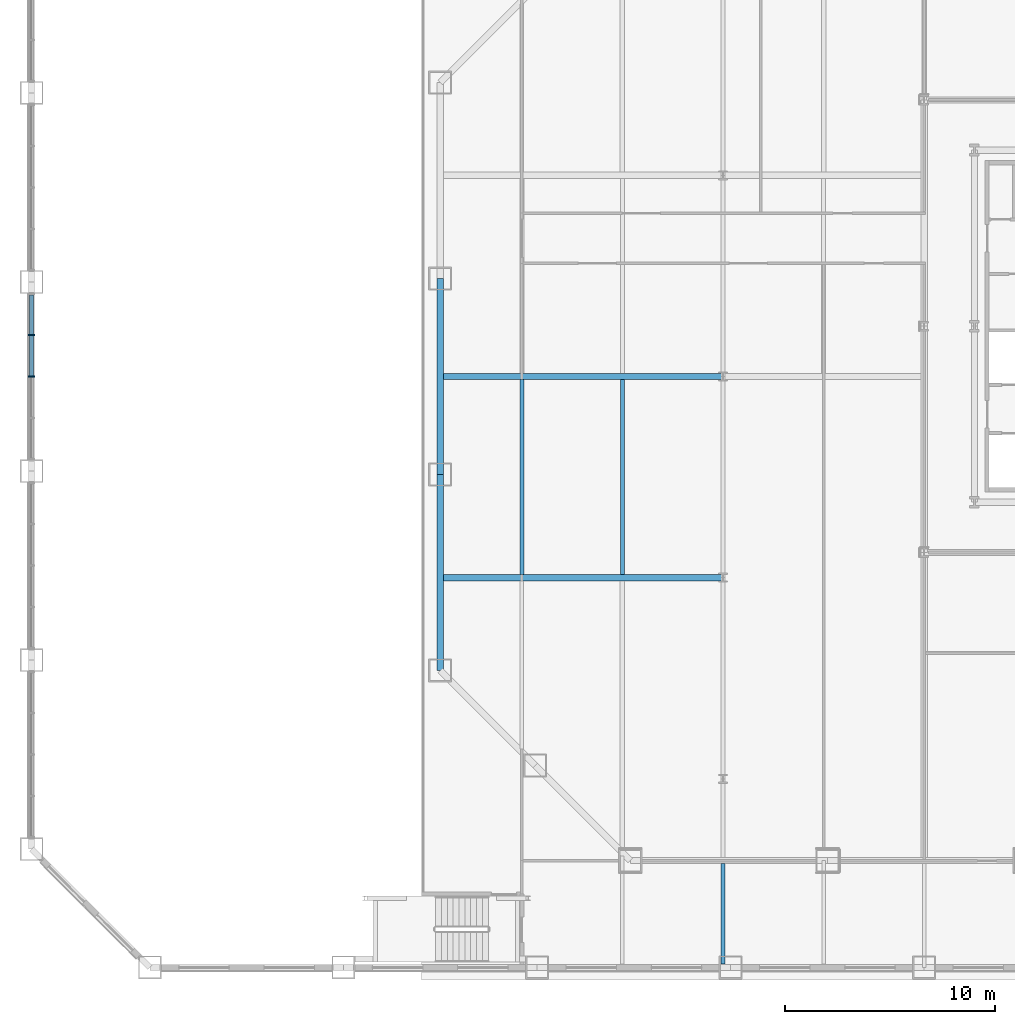
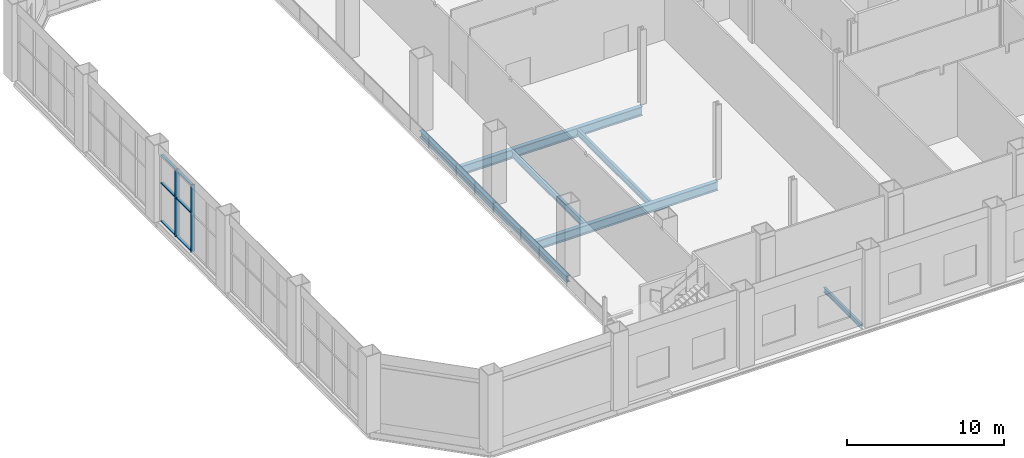
# One storey, part 9 of 31: 8 members, 7 beams, 1 element without a shape of its own.
"""IFC4 building model written with IfcOpenShell, lengths in metres."""

from ifc_helpers import new_model, si_unit, direction, frame, origin, origin_2d, place, context, subcontext, project, spatial, rectangle, i_section, extrude, material, material_profile, profile_set, type_object, element, aggregate, save


model = new_model("IFC4")

# Units and contexts
model_context = context("Model", 3, precision=1e-05, world=origin(), true_north=direction((0.0, 1.0)))
body_context = subcontext(model_context, "Body", "Model", "MODEL_VIEW")
ifc_project = project(units=[si_unit("LENGTHUNIT", "METRE"), si_unit("AREAUNIT", "SQUARE_METRE"), si_unit("VOLUMEUNIT", "CUBIC_METRE"), si_unit("PLANEANGLEUNIT", "RADIAN"), si_unit("MASSUNIT", "GRAM", prefix="KILO")], contexts=[model_context])

# Site, building, storey
site_placement = place(None, origin())
site = spatial("IfcSite", under=ifc_project, at=site_placement, CompositionType="ELEMENT")
building_placement = place(site_placement, origin())
building = spatial("IfcBuilding", under=site, at=building_placement, Name="Cairn Pilgrim Tower", CompositionType="ELEMENT")
storey_placement = place(building_placement, frame((0.0, 0.0, 15.0)))
storey = spatial("IfcBuildingStorey", under=building, at=storey_placement, Name="L02", CompositionType="ELEMENT", Elevation=15.0)

# Curtain wall, members
ifc_material_1 = material(Name="Bronze anodised aluminium with Tinted laminated low-E glass", Category="aluminium")
curtain_wall_type = type_object("IfcCurtainWallType", Name="HALL CW", PredefinedType="NOTDEFINED", material=ifc_material_1)
curtain_wall_placement = place(storey_placement, origin())
curtain_wall = element("IfcCurtainWall", 1, at=curtain_wall_placement, inside=storey, type_object=curtain_wall_type, Name="HALL CW L02 W3-W4", PredefinedType="NOTDEFINED")
ifc_material_2 = material(Name="Bronze anodised aluminium", Category="aluminium")
ifc_material_profile_1 = material_profile(ifc_material_2, rectangle(XDim=0.300048828125, YDim=0.06005859375, at=origin_2d()), Name="HALL MULLION 60x300 BRONZE")
ifc_profile_set_1 = profile_set([ifc_material_profile_1], Name="Bronze anodised aluminium")
member_type_1 = type_object("IfcMemberType", Name="HALL MULLION 60x300 BRONZE", PredefinedType="MULLION", material=ifc_profile_set_1)
member_1_placement = place(storey_placement, frame((-47.39990234375, 1.980224609375, 0.0), z_axis=(0.0, 0.0, 1.0), x_axis=(1.0, 0.0, 0.0)))
member_1 = element("IfcMember", 2, at=member_1_placement, type_object=member_type_1, Name="HCW-W3-W4 mullion 2", PredefinedType="MULLION", context=body_context, shape_type="SweptSolid", body=[
    extrude(rectangle(XDim=0.300048828125, YDim=0.06005859375, at=origin_2d()), origin(), (0.0, 0.0, 1.0), 5.199951171875),
])
member_2_placement = place(storey_placement, frame((-47.39990234375, 0.0, 0.0), z_axis=(0.0, 0.0, 1.0), x_axis=(1.0, 0.0, 0.0)))
member_2 = element("IfcMember", 3, at=member_2_placement, type_object=member_type_1, Name="HCW-W3-W4 mullion 3", PredefinedType="MULLION", context=body_context, shape_type="SweptSolid", body=[
    extrude(rectangle(XDim=0.300048828125, YDim=0.06005859375, at=origin_2d()), origin(), (0.0, 0.0, 1.0), 5.199951171875),
])
ifc_material_profile_2 = material_profile(ifc_material_2, rectangle(XDim=0.199951171875, YDim=0.06005859375, at=origin_2d()), Name="HALL TRANSOM 60x200 BRONZE")
ifc_profile_set_2 = profile_set([ifc_material_profile_2], Name="Bronze anodised aluminium")
member_type_2 = type_object("IfcMemberType", Name="HALL TRANSOM 60x200 BRONZE", PredefinedType="USERDEFINED", material=ifc_profile_set_2)
member_3_placement = place(storey_placement, frame((-47.39990234375, 3.900390625, 0.030029296875), z_axis=(0.0, -1.0, 0.0), x_axis=(1.0, 0.0, 0.0)))
member_3 = element("IfcMember", 4, at=member_3_placement, type_object=member_type_2, Name="HCW-W3-W4 transom 1.1", ObjectType="TRANSOM", PredefinedType="USERDEFINED", context=body_context, shape_type="SweptSolid", body=[
    extrude(rectangle(XDim=0.199951171875, YDim=0.06005859375, at=origin_2d()), origin(), (0.0, 0.0, 1.0), 1.89013671875),
])
member_4_placement = place(storey_placement, frame((-47.39990234375, 3.900390625, 3.0), z_axis=(0.0, -1.0, 0.0), x_axis=(1.0, 0.0, 0.0)))
member_4 = element("IfcMember", 5, at=member_4_placement, type_object=member_type_2, Name="HCW-W3-W4 transom 1.2", ObjectType="TRANSOM", PredefinedType="USERDEFINED", context=body_context, shape_type="SweptSolid", body=[
    extrude(rectangle(XDim=0.199951171875, YDim=0.06005859375, at=origin_2d()), origin(), (0.0, 0.0, 1.0), 1.89013671875),
])
member_5_placement = place(storey_placement, frame((-47.39990234375, 3.900390625, 5.169921875), z_axis=(0.0, -1.0, 0.0), x_axis=(1.0, 0.0, 0.0)))
member_5 = element("IfcMember", 6, at=member_5_placement, type_object=member_type_2, Name="HCW-W3-W4 transom 1.3", ObjectType="TRANSOM", PredefinedType="USERDEFINED", context=body_context, shape_type="SweptSolid", body=[
    extrude(rectangle(XDim=0.199951171875, YDim=0.06005859375, at=origin_2d()), origin(), (0.0, 0.0, 1.0), 1.89013671875),
])
member_6_placement = place(storey_placement, frame((-47.39990234375, 1.9501953125, 0.030029296875), z_axis=(0.0, -1.0, 0.0), x_axis=(1.0, 0.0, 0.0)))
member_6 = element("IfcMember", 7, at=member_6_placement, type_object=member_type_2, Name="HCW-W3-W4 transom 2.1", ObjectType="TRANSOM", PredefinedType="USERDEFINED", context=body_context, shape_type="SweptSolid", body=[
    extrude(rectangle(XDim=0.199951171875, YDim=0.06005859375, at=origin_2d()), origin(), (0.0, 0.0, 1.0), 1.920166015625),
])
member_7_placement = place(storey_placement, frame((-47.39990234375, 1.9501953125, 3.0), z_axis=(0.0, -1.0, 0.0), x_axis=(1.0, 0.0, 0.0)))
member_7 = element("IfcMember", 8, at=member_7_placement, type_object=member_type_2, Name="HCW-W3-W4 transom 2.2", ObjectType="TRANSOM", PredefinedType="USERDEFINED", context=body_context, shape_type="SweptSolid", body=[
    extrude(rectangle(XDim=0.199951171875, YDim=0.06005859375, at=origin_2d()), origin(), (0.0, 0.0, 1.0), 1.920166015625),
])
member_8_placement = place(storey_placement, frame((-47.39990234375, 1.9501953125, 5.169921875), z_axis=(0.0, -1.0, 0.0), x_axis=(1.0, 0.0, 0.0)))
member_8 = element("IfcMember", 9, at=member_8_placement, type_object=member_type_2, Name="HCW-W3-W4 transom 2.3", ObjectType="TRANSOM", PredefinedType="USERDEFINED", context=body_context, shape_type="SweptSolid", body=[
    extrude(rectangle(XDim=0.199951171875, YDim=0.06005859375, at=origin_2d()), origin(), (0.0, 0.0, 1.0), 1.920166015625),
])
aggregate(curtain_wall, [member_1, member_2, member_3, member_4, member_5, member_6, member_7, member_8])

# Beams
ifc_material_3 = material(Name="Structural steel S355J2", Category="steel")
ifc_material_profile_3 = material_profile(ifc_material_3, i_section(OverallWidth=0.169921875, OverallDepth=0.360107421875, WebThickness=0.008056640625, FlangeThickness=0.0126953125, FilletRadius=0.01806640625, at=origin_2d()), Name="IPE 360")
ifc_profile_set_3 = profile_set([ifc_material_profile_3], Name="Structural steel S355J2")
beam_type_1 = type_object("IfcBeamType", Name="PODIUM BEAM IPE 360", PredefinedType="BEAM", material=ifc_profile_set_3)
beam_1_placement = place(storey_placement, frame((-14.39990234375, -28.048095703125, -0.3798828125), z_axis=(0.0, 1.0, 0.0), x_axis=(-1.0, 0.0, 0.0)))
element("IfcBeam", 10, at=beam_1_placement, inside=storey, type_object=beam_type_1, Name="PODIUM BEAM PB-IPE360", PredefinedType="BEAM", context=body_context, shape_type="SweptSolid", body=[
    extrude(i_section(OverallWidth=0.169921875, OverallDepth=0.360107421875, WebThickness=0.008056640625, FlangeThickness=0.0126953125, FilletRadius=0.01806640625, at=origin_2d()), origin(), (0.0, 0.0, 1.0), 4.796142578125),
])
ifc_material_profile_4 = material_profile(ifc_material_3, i_section(OverallWidth=0.199951171875, OverallDepth=0.5, WebThickness=0.01025390625, FlangeThickness=0.01611328125, FilletRadius=0.02099609375, at=origin_2d()), Name="IPE 500")
ifc_profile_set_4 = profile_set([ifc_material_profile_4], Name="Structural steel S355J2")
beam_type_2 = type_object("IfcBeamType", Name="PODIUM BEAM IPE 500", PredefinedType="BEAM", material=ifc_profile_set_4)
for number, where, z_axis, x_axis, name in (
    (11, (-24.0, -9.447998046875, -0.449951171875), (0.0, 1.0, 0.0), (-1.0, 0.0, 0.0), "PODIUM BEAM PB-IPE500"),
    (12, (-19.199951171875, -9.447998046875, -0.449951171875), (0.0, 1.0, 0.0), (-1.0, 0.0, 0.0), "PODIUM BEAM PB-IPE500"),
):
    element("IfcBeam", number, at=place(storey_placement, frame(where, z_axis=z_axis, x_axis=x_axis)), inside=storey, type_object=beam_type_2, Name=name, PredefinedType="BEAM", context=body_context, shape_type="SweptSolid", body=[
        extrude(i_section(OverallWidth=0.199951171875, OverallDepth=0.5, WebThickness=0.01025390625, FlangeThickness=0.01611328125, FilletRadius=0.02099609375, at=origin_2d()), origin(), (0.0, 0.0, 1.0), 9.2958984375),
    ])
ifc_material_profile_5 = material_profile(ifc_material_3, i_section(OverallWidth=0.300048828125, OverallDepth=0.5, WebThickness=0.014404296875, FlangeThickness=0.028076171875, FilletRadius=0.027099609375, at=origin_2d()), Name="HEB 500")
ifc_profile_set_5 = profile_set([ifc_material_profile_5], Name="Structural steel S355J2")
beam_type_3 = type_object("IfcBeamType", Name="PODIUM GIRDER HE 500 B", PredefinedType="BEAM", material=ifc_profile_set_5)
beam_2_placement = place(storey_placement, frame((-27.89990234375, 4.67578125, -0.449951171875), z_axis=(0.0, -1.0, 0.0), x_axis=(1.0, 0.0, 0.0)))
element("IfcBeam", 13, at=beam_2_placement, inside=storey, type_object=beam_type_3, Name="PODIUM GIRDER PG-HE500B", PredefinedType="BEAM", context=body_context, shape_type="SweptSolid", body=[
    extrude(i_section(OverallWidth=0.300048828125, OverallDepth=0.5, WebThickness=0.014404296875, FlangeThickness=0.028076171875, FilletRadius=0.027099609375, at=origin_2d()), origin(), (0.0, 0.0, 1.0), 9.3515625),
])
beam_3_placement = place(storey_placement, frame((-27.89990234375, -4.67578125, -0.449951171875), z_axis=(0.0, -1.0, 0.0), x_axis=(1.0, 0.0, 0.0)))
element("IfcBeam", 14, at=beam_3_placement, inside=storey, type_object=beam_type_3, Name="PODIUM GIRDER PG-HE500B", PredefinedType="BEAM", context=body_context, shape_type="SweptSolid", body=[
    extrude(i_section(OverallWidth=0.300048828125, OverallDepth=0.5, WebThickness=0.014404296875, FlangeThickness=0.028076171875, FilletRadius=0.027099609375, at=origin_2d()), origin(), (0.0, 0.0, 1.0), 9.351318359375),
])
ifc_material_profile_6 = material_profile(ifc_material_3, i_section(OverallWidth=0.300048828125, OverallDepth=0.699951171875, WebThickness=0.01708984375, FlangeThickness=0.031982421875, FilletRadius=0.027099609375, at=origin_2d()), Name="HEB 700")
ifc_profile_set_6 = profile_set([ifc_material_profile_6], Name="Structural steel S355J2")
beam_type_4 = type_object("IfcBeamType", Name="PODIUM GIRDER HE 700 B", PredefinedType="BEAM", material=ifc_profile_set_6)
for number, where, z_axis, x_axis, name in (
    (15, (-27.748046875, -9.60009765625, -0.550048828125), (1.0, 0.0, 0.0), (0.0, 1.0, 0.0), "PODIUM GIRDER PG-HE700B"),
    (16, (-27.748046875, 0.0, -0.550048828125), (1.0, 0.0, 0.0), (0.0, 1.0, 0.0), "PODIUM GIRDER PG-HE700B"),
):
    element("IfcBeam", number, at=place(storey_placement, frame(where, z_axis=z_axis, x_axis=x_axis)), inside=storey, type_object=beam_type_4, Name=name, PredefinedType="BEAM", context=body_context, shape_type="SweptSolid", body=[
        extrude(i_section(OverallWidth=0.300048828125, OverallDepth=0.699951171875, WebThickness=0.01708984375, FlangeThickness=0.031982421875, FilletRadius=0.027099609375, at=origin_2d()), origin(), (0.0, 0.0, 1.0), 13.34814453125),
    ])

save(model, "model.ifc")
